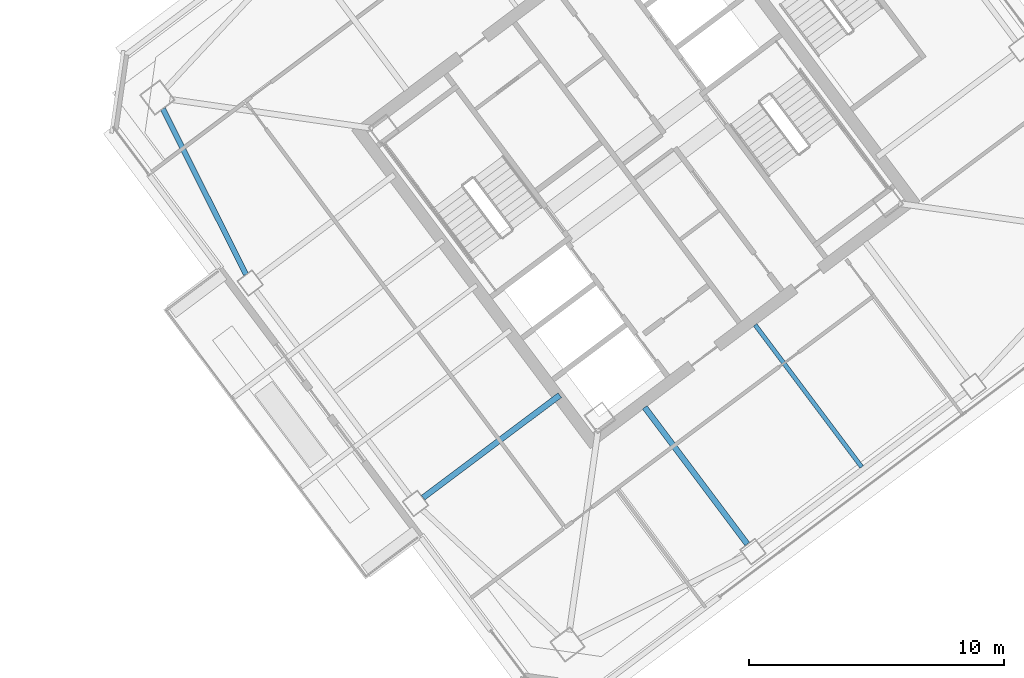
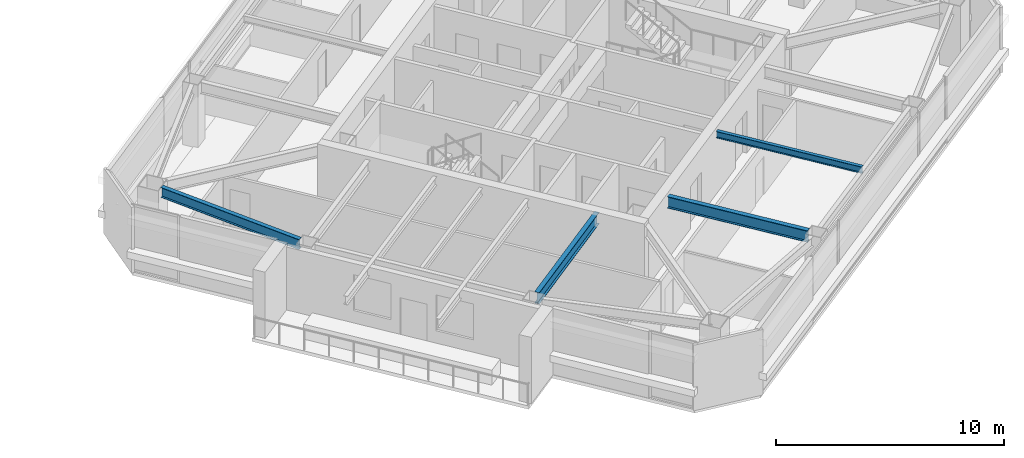
# One storey, part 19 of 40: 4 beams.
"""IFC4 building model written with IfcOpenShell, lengths in metres."""

import ifcopenshell
import ifcopenshell.guid

model = None  # the IFC model being written
_history = None  # IfcOwnerHistory: only IFC2X3 demands one
_inside = {}  # id of a spatial element -> (the spatial element, [elements in it])
_under = {}  # id of a project, library or spatial element -> (it, [spatial elements below it])
_declared = {}  # id of a project -> (the project, [libraries it declares])
_typed = {}  # id of a type object -> (the type object, [elements of that type])
_made_of = {}  # id of a material, layer set ... -> (it, [elements and type objects made of it])


def new_model(schema):
    """Start an empty IFC model of exactly this schema.

    Asked for "IFC4X3", IfcOpenShell would pick the latest addendum, in which some entities
    have other attributes; the version numbers below select the first issue.
    IFC2X3 requires an IfcOwnerHistory on every rooted entity: one is made here for all.
    """
    global model, _history
    if schema == "IFC4X3":
        model = ifcopenshell.file(schema_version=(4, 3, 0, 0))
    else:
        model = ifcopenshell.file(schema=schema)
    _inside.clear()
    _under.clear()
    _declared.clear()
    _typed.clear()
    _made_of.clear()
    _history = None
    if model.schema == "IFC2X3":
        org = make("IfcOrganization", Name="unknown")
        user = make(
            "IfcPersonAndOrganization",
            ThePerson=make("IfcPerson", FamilyName="unknown"),
            TheOrganization=org,
        )
        app = make(
            "IfcApplication",
            ApplicationDeveloper=org,
            Version="unknown",
            ApplicationFullName="unknown",
            ApplicationIdentifier="unknown",
        )
        _history = make(
            "IfcOwnerHistory",
            OwningUser=user,
            OwningApplication=app,
            ChangeAction="ADDED",
            CreationDate=0,
        )
    return model


def make(cls, **values):
    """One entity of the class cls with the attributes given. An attribute that is None is left unset."""
    return model.create_entity(
        cls, **{name: value for name, value in values.items() if value is not None}
    )


def rooted(cls, **values):
    """An entity with a GlobalId (a new one), such as an element, a storey or a relation."""
    return make(cls, GlobalId=ifcopenshell.guid.new(), OwnerHistory=_history, **values)


def si_unit(unit_type, name, prefix=None):
    """IfcSIUnit, for example si_unit("LENGTHUNIT", "METRE", prefix="MILLI")."""
    return make("IfcSIUnit", UnitType=unit_type, Prefix=prefix, Name=name)


def assignment(units):
    """IfcUnitAssignment: the units of a project."""
    return None if units is None else make("IfcUnitAssignment", Units=units)


def point(xyz):
    """IfcCartesianPoint."""
    return None if xyz is None else make("IfcCartesianPoint", Coordinates=xyz)


def direction(xyz):
    """IfcDirection."""
    return None if xyz is None else make("IfcDirection", DirectionRatios=xyz)


def frame(location, z_axis=None, x_axis=None):
    """IfcAxis2Placement3D, a coordinate frame: its origin and axes. An axis left out is left unset."""
    return make(
        "IfcAxis2Placement3D",
        Location=point(location),
        Axis=direction(z_axis),
        RefDirection=direction(x_axis),
    )


def frame_2d(location, x_axis=None):
    """IfcAxis2Placement2D, a coordinate frame in the plane: its origin and x axis."""
    return make(
        "IfcAxis2Placement2D", Location=point(location), RefDirection=direction(x_axis)
    )


def origin():
    """The frame at (0, 0, 0) with its axes left unset."""
    return frame((0.0, 0.0, 0.0))


def origin_2d():
    """The frame at (0, 0) in the plane with its x axis left unset."""
    return frame_2d((0.0, 0.0))


def place(relative_to, where):
    """IfcLocalPlacement: puts the frame where relative to a parent placement (None: the world)."""
    return make(
        "IfcLocalPlacement", PlacementRelTo=relative_to, RelativePlacement=where
    )


def context(
    kind, dimensions, precision=None, world=None, true_north=None, identifier=None
):
    """IfcGeometricRepresentationContext, for example the 3D "Model" context."""
    return make(
        "IfcGeometricRepresentationContext",
        ContextIdentifier=identifier,
        ContextType=kind,
        CoordinateSpaceDimension=dimensions,
        Precision=precision,
        WorldCoordinateSystem=world,
        TrueNorth=true_north,
    )


def subcontext(parent, identifier, kind, view, scale=None):
    """IfcGeometricRepresentationSubContext, for example "Body" below "Model"."""
    return make(
        "IfcGeometricRepresentationSubContext",
        ContextIdentifier=identifier,
        ContextType=kind,
        ParentContext=parent,
        TargetScale=scale,
        TargetView=view,
    )


def project(units=None, contexts=None):
    """IfcProject with its units and contexts."""
    return rooted(
        "IfcProject",
        Name="project",
        RepresentationContexts=contexts,
        UnitsInContext=assignment(units),
    )


def spatial(cls, under=None, at=None, **own):
    """A site, building, storey or space (cls), placed at a placement, below another one or the project."""
    s = rooted(cls, ObjectPlacement=at, **own)
    if under is not None:
        _under.setdefault(under.id(), (under, []))[1].append(s)
    return s


def profile(cls, at=None, kind="AREA", **sizes):
    """A parametric profile (cls). Its sizes go by their IFC names, for example OverallWidth=200.0."""
    return make(cls, ProfileType=kind, Position=at, **sizes)


def i_section(**sizes):
    """IfcIShapeProfileDef."""
    return profile("IfcIShapeProfileDef", **sizes)


def extrude(swept, where, along, depth):
    """IfcExtrudedAreaSolid: the profile swept, set in the frame where, extruded along a direction by depth."""
    return make(
        "IfcExtrudedAreaSolid",
        SweptArea=swept,
        Position=where,
        ExtrudedDirection=direction(along),
        Depth=depth,
    )


def shape(context_of_items, identifier, shape_type, items):
    """IfcShapeRepresentation: the items that make up one representation, for example the "Body"."""
    return make(
        "IfcShapeRepresentation",
        ContextOfItems=context_of_items,
        RepresentationIdentifier=identifier,
        RepresentationType=shape_type,
        Items=items,
    )


def material(Name=None, Category=None):
    """IfcMaterial."""
    return make("IfcMaterial", Name=Name, Category=Category)


def material_profile(
    of_material, cross_section, Name=None, Category=None, Priority=None
):
    """IfcMaterialProfile: a cross section and its material."""
    return make(
        "IfcMaterialProfile",
        Name=Name,
        Material=of_material,
        Profile=cross_section,
        Priority=Priority,
        Category=Category,
    )


def profile_set(profiles, Name=None, composite=None):
    """IfcMaterialProfileSet."""
    return make(
        "IfcMaterialProfileSet",
        Name=Name,
        MaterialProfiles=profiles,
        CompositeProfile=composite,
    )


def made_of(thing, what):
    """Note that an element or type object is made of a material, layer set ...; save() writes the relation."""
    if what is not None:
        _made_of.setdefault(what.id(), (what, []))[1].append(thing)
    return thing


def type_object(cls, material=None, **own):
    """A type object (cls), such as IfcWallType, which elements share."""
    return made_of(rooted(cls, **own), material)


def element(
    cls,
    number,
    at=None,
    inside=None,
    cuts=None,
    type_object=None,
    material=None,
    context=None,
    identifier="Body",
    shape_type=None,
    held_by="IfcProductDefinitionShape",
    body=None,
    shapes=None,
    **own,
):
    """One element of the class cls, such as IfcWall. Its Tag is "e" and its number.

    at: its placement. inside: the storey or other place that contains it. cuts: it is an
    opening in that element (IfcRelVoidsElement). A single representation is given by context,
    identifier, shape_type and body (its items); several are given by shapes. held_by: the class
    of the entity that holds the representations. save() writes the other relations.
    """
    e = rooted(cls, Tag="e%d" % number, ObjectPlacement=at, **own)
    if body is not None:
        shapes = [shape(context, identifier, shape_type, body)]
    if shapes is not None:
        e.Representation = make(held_by, Representations=shapes)
    if inside is not None:
        _inside.setdefault(inside.id(), (inside, []))[1].append(e)
    if cuts is not None:
        rooted(
            "IfcRelVoidsElement", RelatingBuildingElement=cuts, RelatedOpeningElement=e
        )
    if type_object is not None:
        _typed.setdefault(type_object.id(), (type_object, []))[1].append(e)
    return made_of(e, material)


def aggregate(whole, parts):
    """IfcRelAggregates: a whole, such as a stair, and the parts it consists of."""
    return rooted("IfcRelAggregates", RelatingObject=whole, RelatedObjects=parts)


def save(model, path):
    """Write the relations noted so far, then the file.

    IfcRelAggregates (storeys below a building ...), IfcRelContainedInSpatialStructure (elements
    in a storey), IfcRelDefinesByType, IfcRelAssociatesMaterial and IfcRelDeclares: one each for
    every whole, place, type object, material and project.
    """
    for whole, parts in _under.values():
        aggregate(whole, parts)
    for where, things in _inside.values():
        rooted(
            "IfcRelContainedInSpatialStructure",
            RelatedElements=things,
            RelatingStructure=where,
        )
    for kind, things in _typed.values():
        rooted("IfcRelDefinesByType", RelatedObjects=things, RelatingType=kind)
    for what, things in _made_of.values():
        rooted("IfcRelAssociatesMaterial", RelatedObjects=things, RelatingMaterial=what)
    for by, libraries in _declared.values():
        rooted("IfcRelDeclares", RelatingContext=by, RelatedDefinitions=libraries)
    model.write(path)


model = new_model("IFC4")

# Units and contexts
model_context = context("Model", 3, precision=1e-05, world=origin(), true_north=direction((0.0, 1.0)))
body_context = subcontext(model_context, "Body", "Model", "MODEL_VIEW")
ifc_project = project(units=[si_unit("LENGTHUNIT", "METRE"), si_unit("AREAUNIT", "SQUARE_METRE"), si_unit("VOLUMEUNIT", "CUBIC_METRE"), si_unit("PLANEANGLEUNIT", "RADIAN"), si_unit("MASSUNIT", "GRAM", prefix="KILO")], contexts=[model_context])

# Site, building, storey
site_placement = place(None, origin())
site = spatial("IfcSite", under=ifc_project, at=site_placement, CompositionType="ELEMENT")
building_placement = place(site_placement, origin())
building = spatial("IfcBuilding", under=site, at=building_placement, Name="Tashvorn Skyway Center", CompositionType="ELEMENT")
storey_placement = place(building_placement, frame((0.0, 0.0, 221.949951171875)))
storey = spatial("IfcBuildingStorey", under=building, at=storey_placement, Name="L60", CompositionType="ELEMENT", Elevation=221.949951171875)

# Beams
ifc_material = material(Name="Steel ASTM A992 Grade 50", Category="steel")
ifc_material_profile_1 = material_profile(ifc_material, i_section(OverallWidth=0.22998046875, OverallDepth=0.616943359375, WebThickness=0.01318359375, FlangeThickness=0.022216796875, at=origin_2d()), Name="W24X94")
ifc_profile_set_1 = profile_set([ifc_material_profile_1], Name="Steel ASTM A992 Grade 50")
beam_type_1 = type_object("IfcBeamType", Name="BM-BEAM-W24X94", PredefinedType="BEAM", material=ifc_profile_set_1)
beam_1_placement = place(storey_placement, frame((118.367919921875, 17.176025390625, 3.0615234375), z_axis=(-0.600011660554, 0.799991254452, 0.0), x_axis=(-0.799991254452, -0.600011660554, 0.0)))
element("IfcBeam", 1, at=beam_1_placement, inside=storey, type_object=beam_type_1, Name="Tower 2 L60 Primary Floor Girder FC-S1", PredefinedType="BEAM", context=body_context, shape_type="SweptSolid", body=[
    extrude(i_section(OverallWidth=0.22998046875, OverallDepth=0.616943359375, WebThickness=0.01318359375, FlangeThickness=0.022216796875, at=origin_2d()), origin(), (0.0, 0.0, 1.0), 6.699951171875),
])
beam_2_placement = place(storey_placement, frame((105.656005859375, 18.991943359375, 3.0615234375), z_axis=(0.800004372583, 0.599994169845, 0.0), x_axis=(-0.599994169845, 0.800004372583, 0.0)))
element("IfcBeam", 2, at=beam_2_placement, inside=storey, type_object=beam_type_1, Name="Tower 2 L60 Primary Floor Girder FC-W2", PredefinedType="BEAM", context=body_context, shape_type="SweptSolid", body=[
    extrude(i_section(OverallWidth=0.22998046875, OverallDepth=0.616943359375, WebThickness=0.01318359375, FlangeThickness=0.022216796875, at=origin_2d()), origin(), (0.0, 0.0, 1.0), 6.7001953125),
])
ifc_material_profile_2 = material_profile(ifc_material, i_section(OverallWidth=0.1708984375, OverallDepth=0.35498046875, WebThickness=0.007080078125, FlangeThickness=0.01171875, at=origin_2d()), Name="W14X34")
ifc_profile_set_2 = profile_set([ifc_material_profile_2], Name="Steel ASTM A992 Grade 50")
beam_type_2 = type_object("IfcBeamType", Name="BM-JOIST-W14X34", PredefinedType="JOIST", material=ifc_profile_set_2)
beam_3_placement = place(storey_placement, frame((118.674072265625, 25.76806640625, 3.192626953125), z_axis=(0.599994389612, -0.800004207761, 0.0), x_axis=(0.800004207761, 0.599994389612, 0.0)))
element("IfcBeam", 3, at=beam_3_placement, inside=storey, type_object=beam_type_2, Name="Tower 2 L60 Secondary Composite Joist JS", PredefinedType="JOIST", context=body_context, shape_type="SweptSolid", body=[
    extrude(i_section(OverallWidth=0.1708984375, OverallDepth=0.35498046875, WebThickness=0.007080078125, FlangeThickness=0.01171875, at=origin_2d()), origin(), (0.0, 0.0, 1.0), 6.962646484375),
])
ifc_material_profile_3 = material_profile(ifc_material, i_section(OverallWidth=0.2109375, OverallDepth=0.5390625, WebThickness=0.01171875, FlangeThickness=0.018798828125, at=origin_2d()), Name="W21X73")
ifc_profile_set_3 = profile_set([ifc_material_profile_3], Name="Steel ASTM A992 Grade 50")
beam_type_3 = type_object("IfcBeamType", Name="BM-SPANDREL-W21X73", PredefinedType="SPANDREL", material=ifc_profile_set_3)
beam_4_placement = place(storey_placement, frame((95.461669921875, 34.2373046875, 3.1005859375), z_axis=(0.447710870872, -0.894178380472, 0.0), x_axis=(0.894178380472, 0.447710870872, 0.0)))
element("IfcBeam", 4, at=beam_4_placement, inside=storey, type_object=beam_type_3, Name="Tower 2 L60 Spandrel Beam 10", PredefinedType="SPANDREL", context=body_context, shape_type="SweptSolid", body=[
    extrude(i_section(OverallWidth=0.2109375, OverallDepth=0.5390625, WebThickness=0.01171875, FlangeThickness=0.018798828125, at=origin_2d()), origin(), (0.0, 0.0, 1.0), 7.26513671875),
])

save(model, "model.ifc")
